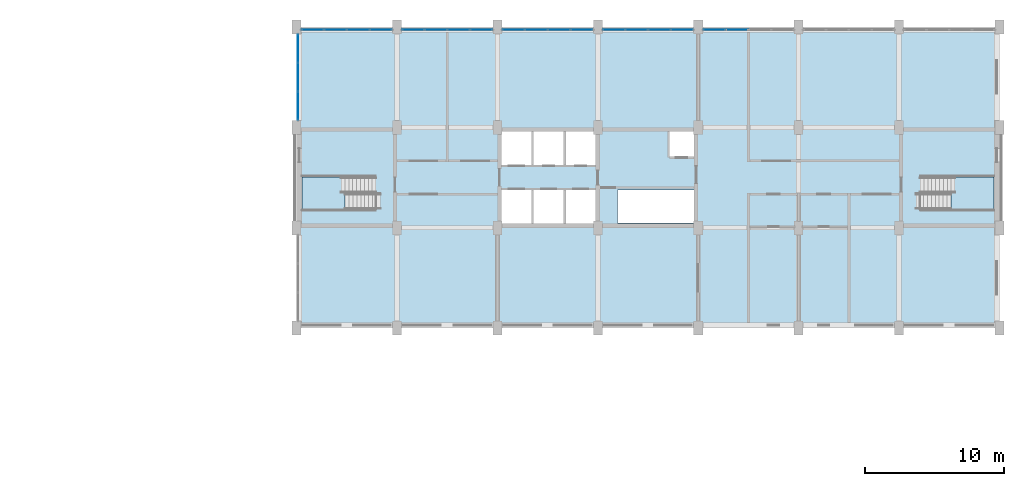
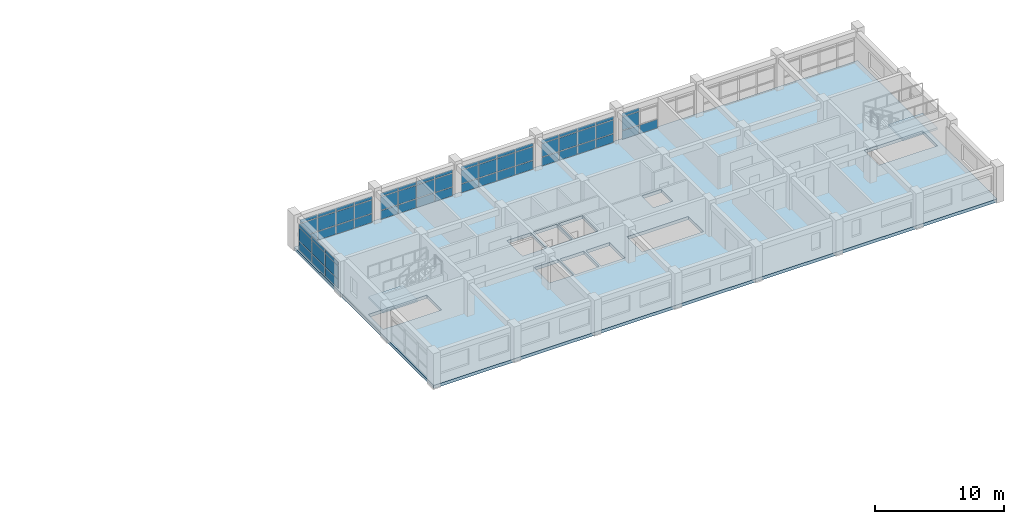
# One storey, part 12 of 19: 61 plates, 3 slabs, 8 elements without a shape of their own.
"""IFC4 building model written with IfcOpenShell, lengths in metres."""

from ifc_helpers import new_model, si_unit, direction, frame, origin, origin_2d, place, context, subcontext, project, spatial, polyline, rectangle, outline, extrude, material, layer, layer_set, type_object, element, aggregate, save


model = new_model("IFC4")

# Units and contexts
model_context = context("Model", 3, precision=1e-05, world=origin(), true_north=direction((0.0, 1.0)))
body_context = subcontext(model_context, "Body", "Model", "MODEL_VIEW")
ifc_project = project(units=[si_unit("LENGTHUNIT", "METRE"), si_unit("AREAUNIT", "SQUARE_METRE"), si_unit("VOLUMEUNIT", "CUBIC_METRE"), si_unit("PLANEANGLEUNIT", "RADIAN"), si_unit("MASSUNIT", "GRAM", prefix="KILO")], contexts=[model_context])

# Site, building, storey
site_placement = place(None, origin())
site = spatial("IfcSite", under=ifc_project, at=site_placement, CompositionType="ELEMENT")
building_placement = place(site_placement, origin())
building = spatial("IfcBuilding", under=site, at=building_placement, Name="Vermilion Court Aquatics Centre", CompositionType="ELEMENT")
storey_placement = place(building_placement, frame((0.0, 0.0, 19.89990234375)))
storey = spatial("IfcBuildingStorey", under=building, at=storey_placement, Name="L04", CompositionType="ELEMENT", Elevation=19.89990234375)

# Curtain wall, plates
ifc_material_1 = material(Name="Aluminium 6063-T5", Category="aluminium")
curtain_wall_type = type_object("IfcCurtainWallType", Name="North block glazed bay curtain wall 1800 module", PredefinedType="NOTDEFINED", material=ifc_material_1)
curtain_wall_1_placement = place(storey_placement, origin())
curtain_wall_1 = element("IfcCurtainWall", 1, at=curtain_wall_1_placement, inside=storey, type_object=curtain_wall_type, Name="North glazed bay 1 L04", PredefinedType="NOTDEFINED")
ifc_material_2 = material(Name="Glazing", Category="glass")
ifc_layer_1 = layer(ifc_material_2, 0.028076171875)
ifc_layer_set_1 = layer_set([ifc_layer_1], Name="North block curtain wall glazing panel 28")
plate_type = type_object("IfcPlateType", Name="North block curtain wall glazing panel 28", PredefinedType="CURTAIN_PANEL", material=ifc_layer_set_1)
plate_1_placement = place(storey_placement, frame((145.15869140625, 115.0, 0.06005859375), z_axis=(0.0, 0.0, 1.0), x_axis=(1.0, 0.0, 0.0)))
plate_1 = element("IfcPlate", 2, at=plate_1_placement, type_object=plate_type, Name="UCW1 panel 1.1", PredefinedType="CURTAIN_PANEL", context=body_context, shape_type="SweptSolid", body=[
    extrude(rectangle(XDim=1.547607421875, YDim=0.028076171875, at=origin_2d()), origin(), (0.0, 0.0, 1.0), 0.81005859375),
])
plate_2_placement = place(storey_placement, frame((145.15869140625, 115.0, 0.93017578125), z_axis=(0.0, 0.0, 1.0), x_axis=(1.0, 0.0, 0.0)))
plate_2 = element("IfcPlate", 3, at=plate_2_placement, type_object=plate_type, Name="UCW1 panel 1.2", PredefinedType="CURTAIN_PANEL", context=body_context, shape_type="SweptSolid", body=[
    extrude(rectangle(XDim=1.547607421875, YDim=0.028076171875, at=origin_2d()), origin(), (0.0, 0.0, 1.0), 1.239990234375),
])
plate_3_placement = place(storey_placement, frame((145.15869140625, 115.0, 2.22998046875), z_axis=(0.0, 0.0, 1.0), x_axis=(1.0, 0.0, 0.0)))
plate_3 = element("IfcPlate", 4, at=plate_3_placement, type_object=plate_type, Name="UCW1 panel 1.3", PredefinedType="CURTAIN_PANEL", context=body_context, shape_type="SweptSolid", body=[
    extrude(rectangle(XDim=1.547607421875, YDim=0.028076171875, at=origin_2d()), origin(), (0.0, 0.0, 1.0), 0.31005859375),
])
plate_4_placement = place(storey_placement, frame((146.78125, 115.0, 0.06005859375), z_axis=(0.0, 0.0, 1.0), x_axis=(1.0, 0.0, 0.0)))
plate_4 = element("IfcPlate", 5, at=plate_4_placement, type_object=plate_type, Name="UCW1 panel 2.1", PredefinedType="CURTAIN_PANEL", context=body_context, shape_type="SweptSolid", body=[
    extrude(rectangle(XDim=1.577392578125, YDim=0.028076171875, at=origin_2d()), origin(), (0.0, 0.0, 1.0), 0.81005859375),
])
plate_5_placement = place(storey_placement, frame((146.78125, 115.0, 0.93017578125), z_axis=(0.0, 0.0, 1.0), x_axis=(1.0, 0.0, 0.0)))
plate_5 = element("IfcPlate", 6, at=plate_5_placement, type_object=plate_type, Name="UCW1 panel 2.2", PredefinedType="CURTAIN_PANEL", context=body_context, shape_type="SweptSolid", body=[
    extrude(rectangle(XDim=1.577392578125, YDim=0.028076171875, at=origin_2d()), origin(), (0.0, 0.0, 1.0), 1.239990234375),
])
plate_6_placement = place(storey_placement, frame((146.78125, 115.0, 2.22998046875), z_axis=(0.0, 0.0, 1.0), x_axis=(1.0, 0.0, 0.0)))
plate_6 = element("IfcPlate", 7, at=plate_6_placement, type_object=plate_type, Name="UCW1 panel 2.3", PredefinedType="CURTAIN_PANEL", context=body_context, shape_type="SweptSolid", body=[
    extrude(rectangle(XDim=1.577392578125, YDim=0.028076171875, at=origin_2d()), origin(), (0.0, 0.0, 1.0), 0.31005859375),
])
plate_7_placement = place(storey_placement, frame((148.418701171875, 115.0, 0.06005859375), z_axis=(0.0, 0.0, 1.0), x_axis=(1.0, 0.0, 0.0)))
plate_7 = element("IfcPlate", 8, at=plate_7_placement, type_object=plate_type, Name="UCW1 panel 3.1", PredefinedType="CURTAIN_PANEL", context=body_context, shape_type="SweptSolid", body=[
    extrude(rectangle(XDim=1.577392578125, YDim=0.028076171875, at=origin_2d()), origin(), (0.0, 0.0, 1.0), 0.81005859375),
])
plate_8_placement = place(storey_placement, frame((148.418701171875, 115.0, 0.93017578125), z_axis=(0.0, 0.0, 1.0), x_axis=(1.0, 0.0, 0.0)))
plate_8 = element("IfcPlate", 9, at=plate_8_placement, type_object=plate_type, Name="UCW1 panel 3.2", PredefinedType="CURTAIN_PANEL", context=body_context, shape_type="SweptSolid", body=[
    extrude(rectangle(XDim=1.577392578125, YDim=0.028076171875, at=origin_2d()), origin(), (0.0, 0.0, 1.0), 1.239990234375),
])
plate_9_placement = place(storey_placement, frame((148.418701171875, 115.0, 2.22998046875), z_axis=(0.0, 0.0, 1.0), x_axis=(1.0, 0.0, 0.0)))
plate_9 = element("IfcPlate", 10, at=plate_9_placement, type_object=plate_type, Name="UCW1 panel 3.3", PredefinedType="CURTAIN_PANEL", context=body_context, shape_type="SweptSolid", body=[
    extrude(rectangle(XDim=1.577392578125, YDim=0.028076171875, at=origin_2d()), origin(), (0.0, 0.0, 1.0), 0.31005859375),
])
plate_10_placement = place(storey_placement, frame((150.041259765625, 115.0, 0.06005859375), z_axis=(0.0, 0.0, 1.0), x_axis=(1.0, 0.0, 0.0)))
plate_10 = element("IfcPlate", 11, at=plate_10_placement, type_object=plate_type, Name="UCW1 panel 4.1", PredefinedType="CURTAIN_PANEL", context=body_context, shape_type="SweptSolid", body=[
    extrude(rectangle(XDim=1.547607421875, YDim=0.028076171875, at=origin_2d()), origin(), (0.0, 0.0, 1.0), 0.81005859375),
])
plate_11_placement = place(storey_placement, frame((150.041259765625, 115.0, 0.93017578125), z_axis=(0.0, 0.0, 1.0), x_axis=(1.0, 0.0, 0.0)))
plate_11 = element("IfcPlate", 12, at=plate_11_placement, type_object=plate_type, Name="UCW1 panel 4.2", PredefinedType="CURTAIN_PANEL", context=body_context, shape_type="SweptSolid", body=[
    extrude(rectangle(XDim=1.547607421875, YDim=0.028076171875, at=origin_2d()), origin(), (0.0, 0.0, 1.0), 1.239990234375),
])
plate_12_placement = place(storey_placement, frame((150.041259765625, 115.0, 2.22998046875), z_axis=(0.0, 0.0, 1.0), x_axis=(1.0, 0.0, 0.0)))
plate_12 = element("IfcPlate", 13, at=plate_12_placement, type_object=plate_type, Name="UCW1 panel 4.3", PredefinedType="CURTAIN_PANEL", context=body_context, shape_type="SweptSolid", body=[
    extrude(rectangle(XDim=1.547607421875, YDim=0.028076171875, at=origin_2d()), origin(), (0.0, 0.0, 1.0), 0.31005859375),
])
aggregate(curtain_wall_1, [plate_1, plate_2, plate_3, plate_4, plate_5, plate_6, plate_7, plate_8, plate_9, plate_10, plate_11, plate_12])

curtain_wall_2_placement = place(storey_placement, origin())
curtain_wall_2 = element("IfcCurtainWall", 14, at=curtain_wall_2_placement, inside=storey, type_object=curtain_wall_type, Name="North glazed bay 2 L04", PredefinedType="NOTDEFINED")
plate_13_placement = place(storey_placement, frame((152.358642578125, 115.0, 0.06005859375), z_axis=(0.0, 0.0, 1.0), x_axis=(1.0, 0.0, 0.0)))
plate_13 = element("IfcPlate", 15, at=plate_13_placement, type_object=plate_type, Name="UCW1 panel 1.1", PredefinedType="CURTAIN_PANEL", context=body_context, shape_type="SweptSolid", body=[
    extrude(rectangle(XDim=1.547607421875, YDim=0.028076171875, at=origin_2d()), origin(), (0.0, 0.0, 1.0), 0.81005859375),
])
plate_14_placement = place(storey_placement, frame((152.358642578125, 115.0, 0.93017578125), z_axis=(0.0, 0.0, 1.0), x_axis=(1.0, 0.0, 0.0)))
plate_14 = element("IfcPlate", 16, at=plate_14_placement, type_object=plate_type, Name="UCW1 panel 1.2", PredefinedType="CURTAIN_PANEL", context=body_context, shape_type="SweptSolid", body=[
    extrude(rectangle(XDim=1.547607421875, YDim=0.028076171875, at=origin_2d()), origin(), (0.0, 0.0, 1.0), 1.239990234375),
])
plate_15_placement = place(storey_placement, frame((152.358642578125, 115.0, 2.22998046875), z_axis=(0.0, 0.0, 1.0), x_axis=(1.0, 0.0, 0.0)))
plate_15 = element("IfcPlate", 17, at=plate_15_placement, type_object=plate_type, Name="UCW1 panel 1.3", PredefinedType="CURTAIN_PANEL", context=body_context, shape_type="SweptSolid", body=[
    extrude(rectangle(XDim=1.547607421875, YDim=0.028076171875, at=origin_2d()), origin(), (0.0, 0.0, 1.0), 0.31005859375),
])
plate_16_placement = place(storey_placement, frame((153.981201171875, 115.0, 0.06005859375), z_axis=(0.0, 0.0, 1.0), x_axis=(1.0, 0.0, 0.0)))
plate_16 = element("IfcPlate", 18, at=plate_16_placement, type_object=plate_type, Name="UCW1 panel 2.1", PredefinedType="CURTAIN_PANEL", context=body_context, shape_type="SweptSolid", body=[
    extrude(rectangle(XDim=1.577392578125, YDim=0.028076171875, at=origin_2d()), origin(), (0.0, 0.0, 1.0), 0.81005859375),
])
plate_17_placement = place(storey_placement, frame((153.981201171875, 115.0, 0.93017578125), z_axis=(0.0, 0.0, 1.0), x_axis=(1.0, 0.0, 0.0)))
plate_17 = element("IfcPlate", 19, at=plate_17_placement, type_object=plate_type, Name="UCW1 panel 2.2", PredefinedType="CURTAIN_PANEL", context=body_context, shape_type="SweptSolid", body=[
    extrude(rectangle(XDim=1.577392578125, YDim=0.028076171875, at=origin_2d()), origin(), (0.0, 0.0, 1.0), 1.239990234375),
])
plate_18_placement = place(storey_placement, frame((153.981201171875, 115.0, 2.22998046875), z_axis=(0.0, 0.0, 1.0), x_axis=(1.0, 0.0, 0.0)))
plate_18 = element("IfcPlate", 20, at=plate_18_placement, type_object=plate_type, Name="UCW1 panel 2.3", PredefinedType="CURTAIN_PANEL", context=body_context, shape_type="SweptSolid", body=[
    extrude(rectangle(XDim=1.577392578125, YDim=0.028076171875, at=origin_2d()), origin(), (0.0, 0.0, 1.0), 0.31005859375),
])
plate_19_placement = place(storey_placement, frame((155.61865234375, 115.0, 0.06005859375), z_axis=(0.0, 0.0, 1.0), x_axis=(1.0, 0.0, 0.0)))
plate_19 = element("IfcPlate", 21, at=plate_19_placement, type_object=plate_type, Name="UCW1 panel 3.1", PredefinedType="CURTAIN_PANEL", context=body_context, shape_type="SweptSolid", body=[
    extrude(rectangle(XDim=1.577392578125, YDim=0.028076171875, at=origin_2d()), origin(), (0.0, 0.0, 1.0), 0.81005859375),
])
plate_20_placement = place(storey_placement, frame((155.61865234375, 115.0, 0.93017578125), z_axis=(0.0, 0.0, 1.0), x_axis=(1.0, 0.0, 0.0)))
plate_20 = element("IfcPlate", 22, at=plate_20_placement, type_object=plate_type, Name="UCW1 panel 3.2", PredefinedType="CURTAIN_PANEL", context=body_context, shape_type="SweptSolid", body=[
    extrude(rectangle(XDim=1.577392578125, YDim=0.028076171875, at=origin_2d()), origin(), (0.0, 0.0, 1.0), 1.239990234375),
])
plate_21_placement = place(storey_placement, frame((155.61865234375, 115.0, 2.22998046875), z_axis=(0.0, 0.0, 1.0), x_axis=(1.0, 0.0, 0.0)))
plate_21 = element("IfcPlate", 23, at=plate_21_placement, type_object=plate_type, Name="UCW1 panel 3.3", PredefinedType="CURTAIN_PANEL", context=body_context, shape_type="SweptSolid", body=[
    extrude(rectangle(XDim=1.577392578125, YDim=0.028076171875, at=origin_2d()), origin(), (0.0, 0.0, 1.0), 0.31005859375),
])
plate_22_placement = place(storey_placement, frame((157.2412109375, 115.0, 0.06005859375), z_axis=(0.0, 0.0, 1.0), x_axis=(1.0, 0.0, 0.0)))
plate_22 = element("IfcPlate", 24, at=plate_22_placement, type_object=plate_type, Name="UCW1 panel 4.1", PredefinedType="CURTAIN_PANEL", context=body_context, shape_type="SweptSolid", body=[
    extrude(rectangle(XDim=1.547607421875, YDim=0.028076171875, at=origin_2d()), origin(), (0.0, 0.0, 1.0), 0.81005859375),
])
plate_23_placement = place(storey_placement, frame((157.2412109375, 115.0, 0.93017578125), z_axis=(0.0, 0.0, 1.0), x_axis=(1.0, 0.0, 0.0)))
plate_23 = element("IfcPlate", 25, at=plate_23_placement, type_object=plate_type, Name="UCW1 panel 4.2", PredefinedType="CURTAIN_PANEL", context=body_context, shape_type="SweptSolid", body=[
    extrude(rectangle(XDim=1.547607421875, YDim=0.028076171875, at=origin_2d()), origin(), (0.0, 0.0, 1.0), 1.239990234375),
])
plate_24_placement = place(storey_placement, frame((157.2412109375, 115.0, 2.22998046875), z_axis=(0.0, 0.0, 1.0), x_axis=(1.0, 0.0, 0.0)))
plate_24 = element("IfcPlate", 26, at=plate_24_placement, type_object=plate_type, Name="UCW1 panel 4.3", PredefinedType="CURTAIN_PANEL", context=body_context, shape_type="SweptSolid", body=[
    extrude(rectangle(XDim=1.547607421875, YDim=0.028076171875, at=origin_2d()), origin(), (0.0, 0.0, 1.0), 0.31005859375),
])
aggregate(curtain_wall_2, [plate_13, plate_14, plate_15, plate_16, plate_17, plate_18, plate_19, plate_20, plate_21, plate_22, plate_23, plate_24])

curtain_wall_3_placement = place(storey_placement, origin())
curtain_wall_3 = element("IfcCurtainWall", 27, at=curtain_wall_3_placement, inside=storey, type_object=curtain_wall_type, Name="North glazed bay 3 L04", PredefinedType="NOTDEFINED")
plate_25_placement = place(storey_placement, frame((159.558837890625, 115.0, 0.06005859375), z_axis=(0.0, 0.0, 1.0), x_axis=(1.0, 0.0, 0.0)))
plate_25 = element("IfcPlate", 28, at=plate_25_placement, type_object=plate_type, Name="UCW1 panel 1.1", PredefinedType="CURTAIN_PANEL", context=body_context, shape_type="SweptSolid", body=[
    extrude(rectangle(XDim=1.547607421875, YDim=0.028076171875, at=origin_2d()), origin(), (0.0, 0.0, 1.0), 0.81005859375),
])
plate_26_placement = place(storey_placement, frame((159.558837890625, 115.0, 0.93017578125), z_axis=(0.0, 0.0, 1.0), x_axis=(1.0, 0.0, 0.0)))
plate_26 = element("IfcPlate", 29, at=plate_26_placement, type_object=plate_type, Name="UCW1 panel 1.2", PredefinedType="CURTAIN_PANEL", context=body_context, shape_type="SweptSolid", body=[
    extrude(rectangle(XDim=1.547607421875, YDim=0.028076171875, at=origin_2d()), origin(), (0.0, 0.0, 1.0), 1.239990234375),
])
plate_27_placement = place(storey_placement, frame((159.558837890625, 115.0, 2.22998046875), z_axis=(0.0, 0.0, 1.0), x_axis=(1.0, 0.0, 0.0)))
plate_27 = element("IfcPlate", 30, at=plate_27_placement, type_object=plate_type, Name="UCW1 panel 1.3", PredefinedType="CURTAIN_PANEL", context=body_context, shape_type="SweptSolid", body=[
    extrude(rectangle(XDim=1.547607421875, YDim=0.028076171875, at=origin_2d()), origin(), (0.0, 0.0, 1.0), 0.31005859375),
])
plate_28_placement = place(storey_placement, frame((161.18115234375, 115.0, 0.06005859375), z_axis=(0.0, 0.0, 1.0), x_axis=(1.0, 0.0, 0.0)))
plate_28 = element("IfcPlate", 31, at=plate_28_placement, type_object=plate_type, Name="UCW1 panel 2.1", PredefinedType="CURTAIN_PANEL", context=body_context, shape_type="SweptSolid", body=[
    extrude(rectangle(XDim=1.577392578125, YDim=0.028076171875, at=origin_2d()), origin(), (0.0, 0.0, 1.0), 0.81005859375),
])
plate_29_placement = place(storey_placement, frame((161.18115234375, 115.0, 0.93017578125), z_axis=(0.0, 0.0, 1.0), x_axis=(1.0, 0.0, 0.0)))
plate_29 = element("IfcPlate", 32, at=plate_29_placement, type_object=plate_type, Name="UCW1 panel 2.2", PredefinedType="CURTAIN_PANEL", context=body_context, shape_type="SweptSolid", body=[
    extrude(rectangle(XDim=1.577392578125, YDim=0.028076171875, at=origin_2d()), origin(), (0.0, 0.0, 1.0), 1.239990234375),
])
plate_30_placement = place(storey_placement, frame((161.18115234375, 115.0, 2.22998046875), z_axis=(0.0, 0.0, 1.0), x_axis=(1.0, 0.0, 0.0)))
plate_30 = element("IfcPlate", 33, at=plate_30_placement, type_object=plate_type, Name="UCW1 panel 2.3", PredefinedType="CURTAIN_PANEL", context=body_context, shape_type="SweptSolid", body=[
    extrude(rectangle(XDim=1.577392578125, YDim=0.028076171875, at=origin_2d()), origin(), (0.0, 0.0, 1.0), 0.31005859375),
])
plate_31_placement = place(storey_placement, frame((162.81884765625, 115.0, 0.06005859375), z_axis=(0.0, 0.0, 1.0), x_axis=(1.0, 0.0, 0.0)))
plate_31 = element("IfcPlate", 34, at=plate_31_placement, type_object=plate_type, Name="UCW1 panel 3.1", PredefinedType="CURTAIN_PANEL", context=body_context, shape_type="SweptSolid", body=[
    extrude(rectangle(XDim=1.577392578125, YDim=0.028076171875, at=origin_2d()), origin(), (0.0, 0.0, 1.0), 0.81005859375),
])
plate_32_placement = place(storey_placement, frame((162.81884765625, 115.0, 0.93017578125), z_axis=(0.0, 0.0, 1.0), x_axis=(1.0, 0.0, 0.0)))
plate_32 = element("IfcPlate", 35, at=plate_32_placement, type_object=plate_type, Name="UCW1 panel 3.2", PredefinedType="CURTAIN_PANEL", context=body_context, shape_type="SweptSolid", body=[
    extrude(rectangle(XDim=1.577392578125, YDim=0.028076171875, at=origin_2d()), origin(), (0.0, 0.0, 1.0), 1.239990234375),
])
plate_33_placement = place(storey_placement, frame((162.81884765625, 115.0, 2.22998046875), z_axis=(0.0, 0.0, 1.0), x_axis=(1.0, 0.0, 0.0)))
plate_33 = element("IfcPlate", 36, at=plate_33_placement, type_object=plate_type, Name="UCW1 panel 3.3", PredefinedType="CURTAIN_PANEL", context=body_context, shape_type="SweptSolid", body=[
    extrude(rectangle(XDim=1.577392578125, YDim=0.028076171875, at=origin_2d()), origin(), (0.0, 0.0, 1.0), 0.31005859375),
])
plate_34_placement = place(storey_placement, frame((164.441162109375, 115.0, 0.06005859375), z_axis=(0.0, 0.0, 1.0), x_axis=(1.0, 0.0, 0.0)))
plate_34 = element("IfcPlate", 37, at=plate_34_placement, type_object=plate_type, Name="UCW1 panel 4.1", PredefinedType="CURTAIN_PANEL", context=body_context, shape_type="SweptSolid", body=[
    extrude(rectangle(XDim=1.547607421875, YDim=0.028076171875, at=origin_2d()), origin(), (0.0, 0.0, 1.0), 0.81005859375),
])
plate_35_placement = place(storey_placement, frame((164.441162109375, 115.0, 0.93017578125), z_axis=(0.0, 0.0, 1.0), x_axis=(1.0, 0.0, 0.0)))
plate_35 = element("IfcPlate", 38, at=plate_35_placement, type_object=plate_type, Name="UCW1 panel 4.2", PredefinedType="CURTAIN_PANEL", context=body_context, shape_type="SweptSolid", body=[
    extrude(rectangle(XDim=1.547607421875, YDim=0.028076171875, at=origin_2d()), origin(), (0.0, 0.0, 1.0), 1.239990234375),
])
plate_36_placement = place(storey_placement, frame((164.441162109375, 115.0, 2.22998046875), z_axis=(0.0, 0.0, 1.0), x_axis=(1.0, 0.0, 0.0)))
plate_36 = element("IfcPlate", 39, at=plate_36_placement, type_object=plate_type, Name="UCW1 panel 4.3", PredefinedType="CURTAIN_PANEL", context=body_context, shape_type="SweptSolid", body=[
    extrude(rectangle(XDim=1.547607421875, YDim=0.028076171875, at=origin_2d()), origin(), (0.0, 0.0, 1.0), 0.31005859375),
])
aggregate(curtain_wall_3, [plate_25, plate_26, plate_27, plate_28, plate_29, plate_30, plate_31, plate_32, plate_33, plate_34, plate_35, plate_36])

curtain_wall_4_placement = place(storey_placement, origin())
curtain_wall_4 = element("IfcCurtainWall", 40, at=curtain_wall_4_placement, inside=storey, type_object=curtain_wall_type, Name="North glazed bay 4 L04", PredefinedType="NOTDEFINED")
plate_37_placement = place(storey_placement, frame((166.7587890625, 115.0, 0.06005859375), z_axis=(0.0, 0.0, 1.0), x_axis=(1.0, 0.0, 0.0)))
plate_37 = element("IfcPlate", 41, at=plate_37_placement, type_object=plate_type, Name="UCW1 panel 1.1", PredefinedType="CURTAIN_PANEL", context=body_context, shape_type="SweptSolid", body=[
    extrude(rectangle(XDim=1.547607421875, YDim=0.028076171875, at=origin_2d()), origin(), (0.0, 0.0, 1.0), 0.81005859375),
])
plate_38_placement = place(storey_placement, frame((166.7587890625, 115.0, 0.93017578125), z_axis=(0.0, 0.0, 1.0), x_axis=(1.0, 0.0, 0.0)))
plate_38 = element("IfcPlate", 42, at=plate_38_placement, type_object=plate_type, Name="UCW1 panel 1.2", PredefinedType="CURTAIN_PANEL", context=body_context, shape_type="SweptSolid", body=[
    extrude(rectangle(XDim=1.547607421875, YDim=0.028076171875, at=origin_2d()), origin(), (0.0, 0.0, 1.0), 1.239990234375),
])
plate_39_placement = place(storey_placement, frame((166.7587890625, 115.0, 2.22998046875), z_axis=(0.0, 0.0, 1.0), x_axis=(1.0, 0.0, 0.0)))
plate_39 = element("IfcPlate", 43, at=plate_39_placement, type_object=plate_type, Name="UCW1 panel 1.3", PredefinedType="CURTAIN_PANEL", context=body_context, shape_type="SweptSolid", body=[
    extrude(rectangle(XDim=1.547607421875, YDim=0.028076171875, at=origin_2d()), origin(), (0.0, 0.0, 1.0), 0.31005859375),
])
plate_40_placement = place(storey_placement, frame((168.38134765625, 115.0, 0.06005859375), z_axis=(0.0, 0.0, 1.0), x_axis=(1.0, 0.0, 0.0)))
plate_40 = element("IfcPlate", 44, at=plate_40_placement, type_object=plate_type, Name="UCW1 panel 2.1", PredefinedType="CURTAIN_PANEL", context=body_context, shape_type="SweptSolid", body=[
    extrude(rectangle(XDim=1.577392578125, YDim=0.028076171875, at=origin_2d()), origin(), (0.0, 0.0, 1.0), 0.81005859375),
])
plate_41_placement = place(storey_placement, frame((168.38134765625, 115.0, 0.93017578125), z_axis=(0.0, 0.0, 1.0), x_axis=(1.0, 0.0, 0.0)))
plate_41 = element("IfcPlate", 45, at=plate_41_placement, type_object=plate_type, Name="UCW1 panel 2.2", PredefinedType="CURTAIN_PANEL", context=body_context, shape_type="SweptSolid", body=[
    extrude(rectangle(XDim=1.577392578125, YDim=0.028076171875, at=origin_2d()), origin(), (0.0, 0.0, 1.0), 1.239990234375),
])
plate_42_placement = place(storey_placement, frame((168.38134765625, 115.0, 2.22998046875), z_axis=(0.0, 0.0, 1.0), x_axis=(1.0, 0.0, 0.0)))
plate_42 = element("IfcPlate", 46, at=plate_42_placement, type_object=plate_type, Name="UCW1 panel 2.3", PredefinedType="CURTAIN_PANEL", context=body_context, shape_type="SweptSolid", body=[
    extrude(rectangle(XDim=1.577392578125, YDim=0.028076171875, at=origin_2d()), origin(), (0.0, 0.0, 1.0), 0.31005859375),
])
plate_43_placement = place(storey_placement, frame((170.018798828125, 115.0, 0.06005859375), z_axis=(0.0, 0.0, 1.0), x_axis=(1.0, 0.0, 0.0)))
plate_43 = element("IfcPlate", 47, at=plate_43_placement, type_object=plate_type, Name="UCW1 panel 3.1", PredefinedType="CURTAIN_PANEL", context=body_context, shape_type="SweptSolid", body=[
    extrude(rectangle(XDim=1.577392578125, YDim=0.028076171875, at=origin_2d()), origin(), (0.0, 0.0, 1.0), 0.81005859375),
])
plate_44_placement = place(storey_placement, frame((170.018798828125, 115.0, 0.93017578125), z_axis=(0.0, 0.0, 1.0), x_axis=(1.0, 0.0, 0.0)))
plate_44 = element("IfcPlate", 48, at=plate_44_placement, type_object=plate_type, Name="UCW1 panel 3.2", PredefinedType="CURTAIN_PANEL", context=body_context, shape_type="SweptSolid", body=[
    extrude(rectangle(XDim=1.577392578125, YDim=0.028076171875, at=origin_2d()), origin(), (0.0, 0.0, 1.0), 1.239990234375),
])
plate_45_placement = place(storey_placement, frame((170.018798828125, 115.0, 2.22998046875), z_axis=(0.0, 0.0, 1.0), x_axis=(1.0, 0.0, 0.0)))
plate_45 = element("IfcPlate", 49, at=plate_45_placement, type_object=plate_type, Name="UCW1 panel 3.3", PredefinedType="CURTAIN_PANEL", context=body_context, shape_type="SweptSolid", body=[
    extrude(rectangle(XDim=1.577392578125, YDim=0.028076171875, at=origin_2d()), origin(), (0.0, 0.0, 1.0), 0.31005859375),
])
plate_46_placement = place(storey_placement, frame((171.641357421875, 115.0, 0.06005859375), z_axis=(0.0, 0.0, 1.0), x_axis=(1.0, 0.0, 0.0)))
plate_46 = element("IfcPlate", 50, at=plate_46_placement, type_object=plate_type, Name="UCW1 panel 4.1", PredefinedType="CURTAIN_PANEL", context=body_context, shape_type="SweptSolid", body=[
    extrude(rectangle(XDim=1.547607421875, YDim=0.028076171875, at=origin_2d()), origin(), (0.0, 0.0, 1.0), 0.81005859375),
])
plate_47_placement = place(storey_placement, frame((171.641357421875, 115.0, 0.93017578125), z_axis=(0.0, 0.0, 1.0), x_axis=(1.0, 0.0, 0.0)))
plate_47 = element("IfcPlate", 51, at=plate_47_placement, type_object=plate_type, Name="UCW1 panel 4.2", PredefinedType="CURTAIN_PANEL", context=body_context, shape_type="SweptSolid", body=[
    extrude(rectangle(XDim=1.547607421875, YDim=0.028076171875, at=origin_2d()), origin(), (0.0, 0.0, 1.0), 1.239990234375),
])
plate_48_placement = place(storey_placement, frame((171.641357421875, 115.0, 2.22998046875), z_axis=(0.0, 0.0, 1.0), x_axis=(1.0, 0.0, 0.0)))
plate_48 = element("IfcPlate", 52, at=plate_48_placement, type_object=plate_type, Name="UCW1 panel 4.3", PredefinedType="CURTAIN_PANEL", context=body_context, shape_type="SweptSolid", body=[
    extrude(rectangle(XDim=1.547607421875, YDim=0.028076171875, at=origin_2d()), origin(), (0.0, 0.0, 1.0), 0.31005859375),
])
aggregate(curtain_wall_4, [plate_37, plate_38, plate_39, plate_40, plate_41, plate_42, plate_43, plate_44, plate_45, plate_46, plate_47, plate_48])

curtain_wall_5_placement = place(storey_placement, origin())
curtain_wall_5 = element("IfcCurtainWall", 53, at=curtain_wall_5_placement, inside=storey, type_object=curtain_wall_type, Name="North glazed bay 5 L04", PredefinedType="NOTDEFINED")
plate_49_placement = place(storey_placement, frame((173.958740234375, 115.0, 0.06005859375), z_axis=(0.0, 0.0, 1.0), x_axis=(1.0, 0.0, 0.0)))
plate_49 = element("IfcPlate", 54, at=plate_49_placement, type_object=plate_type, Name="UCW1 panel 1.1", PredefinedType="CURTAIN_PANEL", context=body_context, shape_type="SweptSolid", body=[
    extrude(rectangle(XDim=1.547607421875, YDim=0.028076171875, at=origin_2d()), origin(), (0.0, 0.0, 1.0), 0.81005859375),
])
plate_50_placement = place(storey_placement, frame((173.958740234375, 115.0, 0.93017578125), z_axis=(0.0, 0.0, 1.0), x_axis=(1.0, 0.0, 0.0)))
plate_50 = element("IfcPlate", 55, at=plate_50_placement, type_object=plate_type, Name="UCW1 panel 1.2", PredefinedType="CURTAIN_PANEL", context=body_context, shape_type="SweptSolid", body=[
    extrude(rectangle(XDim=1.547607421875, YDim=0.028076171875, at=origin_2d()), origin(), (0.0, 0.0, 1.0), 1.239990234375),
])
plate_51_placement = place(storey_placement, frame((173.958740234375, 115.0, 2.22998046875), z_axis=(0.0, 0.0, 1.0), x_axis=(1.0, 0.0, 0.0)))
plate_51 = element("IfcPlate", 56, at=plate_51_placement, type_object=plate_type, Name="UCW1 panel 1.3", PredefinedType="CURTAIN_PANEL", context=body_context, shape_type="SweptSolid", body=[
    extrude(rectangle(XDim=1.547607421875, YDim=0.028076171875, at=origin_2d()), origin(), (0.0, 0.0, 1.0), 0.31005859375),
])
plate_52_placement = place(storey_placement, frame((175.581298828125, 115.0, 0.06005859375), z_axis=(0.0, 0.0, 1.0), x_axis=(1.0, 0.0, 0.0)))
plate_52 = element("IfcPlate", 57, at=plate_52_placement, type_object=plate_type, Name="UCW1 panel 2.1", PredefinedType="CURTAIN_PANEL", context=body_context, shape_type="SweptSolid", body=[
    extrude(rectangle(XDim=1.577392578125, YDim=0.028076171875, at=origin_2d()), origin(), (0.0, 0.0, 1.0), 0.81005859375),
])
aggregate(curtain_wall_5, [plate_49, plate_50, plate_51, plate_52])

curtain_wall_6_placement = place(storey_placement, origin())
curtain_wall_6 = element("IfcCurtainWall", 58, at=curtain_wall_6_placement, inside=storey, type_object=curtain_wall_type, Name="West glazed bay 2 L04", PredefinedType="NOTDEFINED")
plate_53_placement = place(storey_placement, frame((144.10009765625, 109.54833984375, 0.06005859375), z_axis=(0.0, 0.0, 1.0), x_axis=(0.0, 1.0, 0.0)))
plate_53 = element("IfcPlate", 59, at=plate_53_placement, type_object=plate_type, Name="UCW1 panel 1.1", PredefinedType="CURTAIN_PANEL", context=body_context, shape_type="SweptSolid", body=[
    extrude(rectangle(XDim=1.9765625, YDim=0.028076171875, at=origin_2d()), origin(), (0.0, 0.0, 1.0), 0.81005859375),
])
plate_54_placement = place(storey_placement, frame((144.10009765625, 109.54833984375, 0.93017578125), z_axis=(0.0, 0.0, 1.0), x_axis=(0.0, 1.0, 0.0)))
plate_54 = element("IfcPlate", 60, at=plate_54_placement, type_object=plate_type, Name="UCW1 panel 1.2", PredefinedType="CURTAIN_PANEL", context=body_context, shape_type="SweptSolid", body=[
    extrude(rectangle(XDim=1.9765625, YDim=0.028076171875, at=origin_2d()), origin(), (0.0, 0.0, 1.0), 1.239990234375),
])
plate_55_placement = place(storey_placement, frame((144.10009765625, 109.54833984375, 2.22998046875), z_axis=(0.0, 0.0, 1.0), x_axis=(0.0, 1.0, 0.0)))
plate_55 = element("IfcPlate", 61, at=plate_55_placement, type_object=plate_type, Name="UCW1 panel 1.3", PredefinedType="CURTAIN_PANEL", context=body_context, shape_type="SweptSolid", body=[
    extrude(rectangle(XDim=1.9765625, YDim=0.028076171875, at=origin_2d()), origin(), (0.0, 0.0, 1.0), 0.31005859375),
])
plate_56_placement = place(storey_placement, frame((144.10009765625, 111.60009765625, 0.06005859375), z_axis=(0.0, 0.0, 1.0), x_axis=(0.0, 1.0, 0.0)))
plate_56 = element("IfcPlate", 62, at=plate_56_placement, type_object=plate_type, Name="UCW1 panel 2.1", PredefinedType="CURTAIN_PANEL", context=body_context, shape_type="SweptSolid", body=[
    extrude(rectangle(XDim=2.006591796875, YDim=0.028076171875, at=origin_2d()), origin(), (0.0, 0.0, 1.0), 0.81005859375),
])
plate_57_placement = place(storey_placement, frame((144.10009765625, 111.60009765625, 0.93017578125), z_axis=(0.0, 0.0, 1.0), x_axis=(0.0, 1.0, 0.0)))
plate_57 = element("IfcPlate", 63, at=plate_57_placement, type_object=plate_type, Name="UCW1 panel 2.2", PredefinedType="CURTAIN_PANEL", context=body_context, shape_type="SweptSolid", body=[
    extrude(rectangle(XDim=2.006591796875, YDim=0.028076171875, at=origin_2d()), origin(), (0.0, 0.0, 1.0), 1.239990234375),
])
plate_58_placement = place(storey_placement, frame((144.10009765625, 111.60009765625, 2.22998046875), z_axis=(0.0, 0.0, 1.0), x_axis=(0.0, 1.0, 0.0)))
plate_58 = element("IfcPlate", 64, at=plate_58_placement, type_object=plate_type, Name="UCW1 panel 2.3", PredefinedType="CURTAIN_PANEL", context=body_context, shape_type="SweptSolid", body=[
    extrude(rectangle(XDim=2.006591796875, YDim=0.028076171875, at=origin_2d()), origin(), (0.0, 0.0, 1.0), 0.31005859375),
])
plate_59_placement = place(storey_placement, frame((144.10009765625, 113.651611328125, 0.06005859375), z_axis=(0.0, 0.0, 1.0), x_axis=(0.0, 1.0, 0.0)))
plate_59 = element("IfcPlate", 65, at=plate_59_placement, type_object=plate_type, Name="UCW1 panel 3.1", PredefinedType="CURTAIN_PANEL", context=body_context, shape_type="SweptSolid", body=[
    extrude(rectangle(XDim=1.9765625, YDim=0.028076171875, at=origin_2d()), origin(), (0.0, 0.0, 1.0), 0.81005859375),
])
plate_60_placement = place(storey_placement, frame((144.10009765625, 113.651611328125, 0.93017578125), z_axis=(0.0, 0.0, 1.0), x_axis=(0.0, 1.0, 0.0)))
plate_60 = element("IfcPlate", 66, at=plate_60_placement, type_object=plate_type, Name="UCW1 panel 3.2", PredefinedType="CURTAIN_PANEL", context=body_context, shape_type="SweptSolid", body=[
    extrude(rectangle(XDim=1.9765625, YDim=0.028076171875, at=origin_2d()), origin(), (0.0, 0.0, 1.0), 1.239990234375),
])
plate_61_placement = place(storey_placement, frame((144.10009765625, 113.651611328125, 2.22998046875), z_axis=(0.0, 0.0, 1.0), x_axis=(0.0, 1.0, 0.0)))
plate_61 = element("IfcPlate", 67, at=plate_61_placement, type_object=plate_type, Name="UCW1 panel 3.3", PredefinedType="CURTAIN_PANEL", context=body_context, shape_type="SweptSolid", body=[
    extrude(rectangle(XDim=1.9765625, YDim=0.028076171875, at=origin_2d()), origin(), (0.0, 0.0, 1.0), 0.31005859375),
])
aggregate(curtain_wall_6, [plate_53, plate_54, plate_55, plate_56, plate_57, plate_58, plate_59, plate_60, plate_61])

# Slab
ifc_material_3 = material(Name="Concrete 5000 psi", Category="concrete")
ifc_layer_2 = layer(ifc_material_3, 0.300048828125)
ifc_layer_set_2 = layer_set([ifc_layer_2], Name="North block flat plate 300")
slab_type_1 = type_object("IfcSlabType", Name="North block flat plate 300", PredefinedType="FLOOR", material=ifc_layer_set_2)
slab_1_placement = place(storey_placement, frame((0.0, 0.0, -0.2998046875)))
element("IfcSlab", 68, at=slab_1_placement, inside=storey, type_object=slab_type_1, Name="Floor slab L04", PredefinedType="FLOOR", context=body_context, shape_type="SweptSolid", body=[
    extrude(outline(polyline([(144.0, 93.60009765625), (194.39990234375, 93.60009765625), (194.39990234375, 115.199951171875), (144.0, 115.199951171875), (144.0, 93.60009765625)]), holes=[polyline([(158.699951171875, 101.10009765625), (160.85009765625, 101.10009765625), (160.85009765625, 103.5), (158.699951171875, 103.5), (158.699951171875, 101.10009765625)]), polyline([(158.699951171875, 105.300048828125), (160.85009765625, 105.300048828125), (160.85009765625, 107.699951171875), (158.699951171875, 107.699951171875), (158.699951171875, 105.300048828125)]), polyline([(161.0, 101.10009765625), (163.14990234375, 101.10009765625), (163.14990234375, 103.5), (161.0, 103.5), (161.0, 101.10009765625)]), polyline([(161.0, 105.300048828125), (163.14990234375, 105.300048828125), (163.14990234375, 107.699951171875), (161.0, 107.699951171875), (161.0, 105.300048828125)]), polyline([(163.300048828125, 101.10009765625), (165.449951171875, 101.10009765625), (165.449951171875, 103.5), (163.300048828125, 103.5), (163.300048828125, 101.10009765625)]), polyline([(163.300048828125, 105.300048828125), (165.449951171875, 105.300048828125), (165.449951171875, 107.699951171875), (163.300048828125, 107.699951171875), (163.300048828125, 105.300048828125)]), polyline([(167.0, 101.14990234375), (172.5, 101.14990234375), (172.5, 103.5), (167.0, 103.5), (167.0, 101.14990234375)]), polyline([(170.75, 105.89990234375), (172.5, 105.89990234375), (172.5, 107.699951171875), (170.75, 107.699951171875), (170.75, 105.89990234375)]), polyline([(144.39990234375, 102.1298828125), (149.64990234375, 102.1298828125), (149.64990234375, 104.429931640625), (144.39990234375, 104.429931640625), (144.39990234375, 102.1298828125)]), polyline([(188.75, 102.1298828125), (194.0, 102.1298828125), (194.0, 104.429931640625), (188.75, 104.429931640625), (188.75, 102.1298828125)])]), origin(), (0.0, 0.0, 1.0), 0.2998046875),
])

# Stair, slab
ifc_material_4 = material(Name="Concrete 5000 psi", Category="concrete")
stair_type = type_object("IfcStairType", Name="North block exit stair 1130", PredefinedType="HALF_TURN_STAIR", material=ifc_material_4)
stair_1_placement = place(storey_placement, origin())
stair_1 = element("IfcStair", 69, at=stair_1_placement, inside=storey, type_object=stair_type, Name="Exit stair ST-T1 L04", PredefinedType="HALF_TURN_STAIR")
ifc_material_5 = material(Name="Concrete 5000 psi", Category="concrete")
ifc_layer_3 = layer(ifc_material_5, 0.199951171875)
ifc_layer_set_3 = layer_set([ifc_layer_3], Name="North block stair landing 200")
slab_type_2 = type_object("IfcSlabType", Name="North block stair landing 200", PredefinedType="LANDING", material=ifc_layer_set_3)
slab_2_placement = place(storey_placement, frame((0.0, 0.0, 1.5)))
slab_2 = element("IfcSlab", 70, at=slab_2_placement, type_object=slab_type_2, Name="ST-T1 landing 1", PredefinedType="LANDING", context=body_context, shape_type="SweptSolid", body=[
    extrude(outline(polyline([(144.39990234375, 102.1298828125), (147.47998046875, 102.1298828125), (147.47998046875, 104.429931640625), (144.39990234375, 104.429931640625), (144.39990234375, 102.1298828125)])), origin(), (0.0, 0.0, 1.0), 0.2001953125),
])
aggregate(stair_1, [slab_2])

stair_2_placement = place(storey_placement, origin())
stair_2 = element("IfcStair", 71, at=stair_2_placement, inside=storey, type_object=stair_type, Name="Exit stair ST-T2 L04", PredefinedType="HALF_TURN_STAIR")
slab_3_placement = place(storey_placement, frame((0.0, 0.0, 1.5)))
slab_3 = element("IfcSlab", 72, at=slab_3_placement, type_object=slab_type_2, Name="ST-T2 landing 1", PredefinedType="LANDING", context=body_context, shape_type="SweptSolid", body=[
    extrude(outline(polyline([(190.919921875, 102.1298828125), (194.0, 102.1298828125), (194.0, 104.429931640625), (190.919921875, 104.429931640625), (190.919921875, 102.1298828125)])), origin(), (0.0, 0.0, 1.0), 0.2001953125),
])
aggregate(stair_2, [slab_3])

save(model, "model.ifc")
